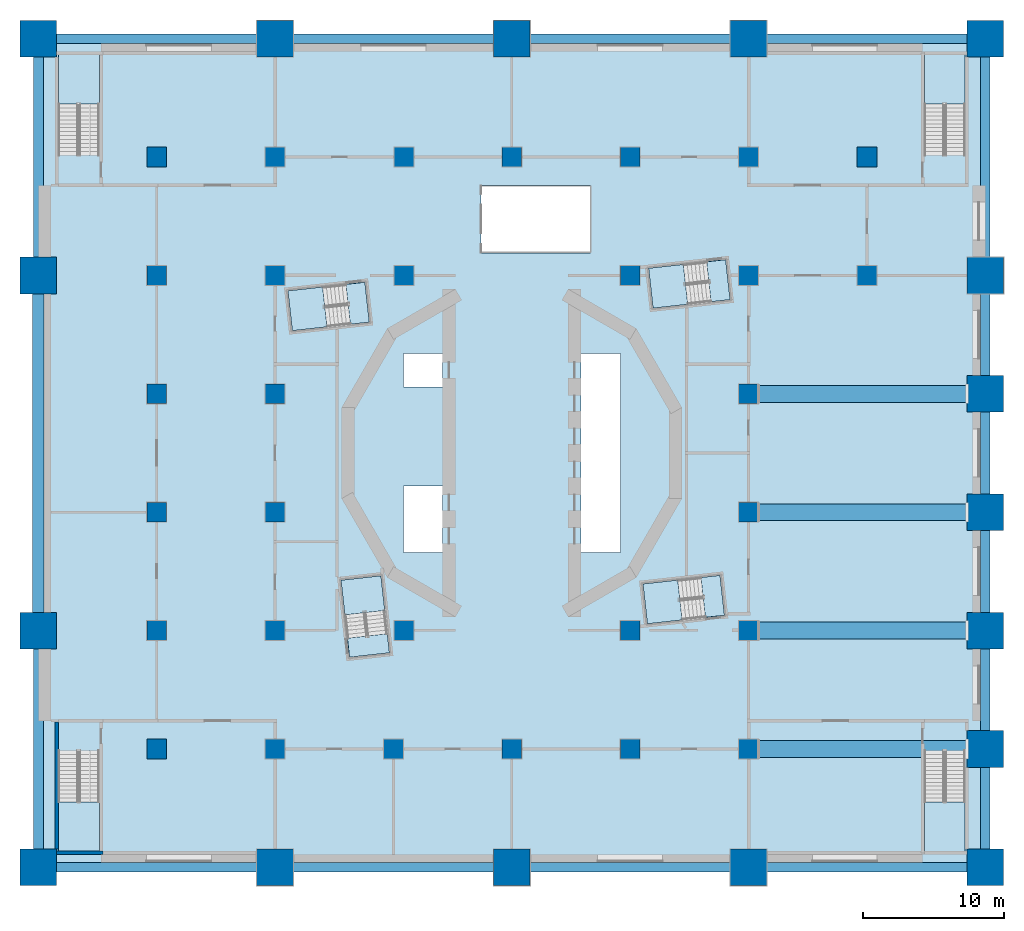
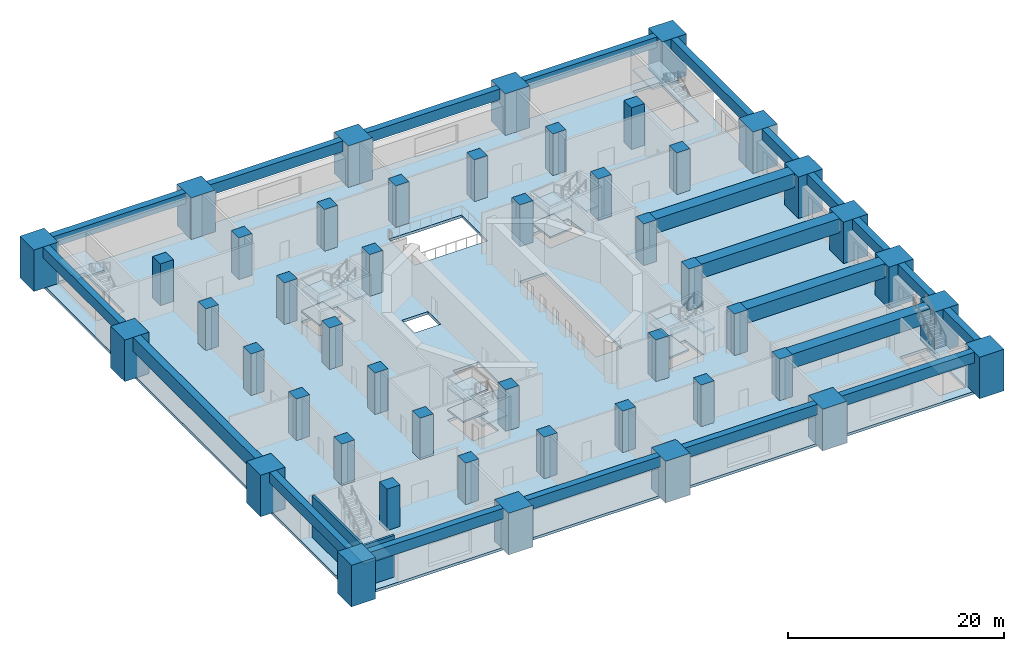
# One storey, part 1 of 17: 47 columns, 21 beams, 17 slabs, 2 walls, 8 elements without a shape of their own.
"""IFC4 building model written with IfcOpenShell, lengths in metres."""

from ifc_helpers import new_model, si_unit, direction, frame, frame_2d, origin, origin_2d, place, context, subcontext, project, spatial, polyline, rectangle, outline, extrude, material, layer, layer_set, material_profile, profile_set, type_object, element, aggregate, save


model = new_model("IFC4")

# Units and contexts
model_context = context("Model", 3, precision=1e-05, world=origin(), true_north=direction((0.0, 1.0)))
body_context = subcontext(model_context, "Body", "Model", "MODEL_VIEW")
ifc_project = project(units=[si_unit("LENGTHUNIT", "METRE"), si_unit("AREAUNIT", "SQUARE_METRE"), si_unit("VOLUMEUNIT", "CUBIC_METRE"), si_unit("PLANEANGLEUNIT", "RADIAN"), si_unit("MASSUNIT", "GRAM", prefix="KILO")], contexts=[model_context])

# Site, building, storey
site_placement = place(None, origin())
site = spatial("IfcSite", under=ifc_project, at=site_placement, CompositionType="ELEMENT")
building_placement = place(site_placement, origin())
building = spatial("IfcBuilding", under=site, at=building_placement, Name="Cantera Rosa Tower", CompositionType="ELEMENT")
storey_placement = place(building_placement, frame((0.0, 0.0, 22.0)))
storey = spatial("IfcBuildingStorey", under=building, at=storey_placement, Name="L03", CompositionType="ELEMENT", Elevation=22.0)

# Columns
ifc_material_1 = material(Name="Concrete C60/75", Category="concrete")
ifc_material_profile_1 = material_profile(ifc_material_1, rectangle(XDim=1.39990234375, YDim=1.39990234375, at=origin_2d()), Name="Column 1400x1400")
ifc_profile_set_1 = profile_set([ifc_material_profile_1], Name="Concrete C60/75")
column_type_1 = type_object("IfcColumnType", Name="Column 1400x1400", PredefinedType="COLUMN", material=ifc_profile_set_1)
for number, where, z_axis, x_axis, name in (
    (1, (-25.199951171875, -21.0, 0.0), (0.0, 0.0, 1.0), (1.0, 0.0, 0.0), "Column C-P-2B"),
    (2, (-25.199951171875, -12.60009765625, 0.0), (0.0, 0.0, 1.0), (1.0, 0.0, 0.0), "Column C-P-2C"),
    (3, (-25.199951171875, -4.199951171875, 0.0), (0.0, 0.0, 1.0), (1.0, 0.0, 0.0), "Column C-P-2D"),
    (4, (-25.199951171875, 4.199951171875, 0.0), (0.0, 0.0, 1.0), (1.0, 0.0, 0.0), "Column C-P-2E"),
    (5, (-25.199951171875, 12.60009765625, 0.0), (0.0, 0.0, 1.0), (1.0, 0.0, 0.0), "Column C-P-2F"),
    (6, (-25.199951171875, 21.0, 0.0), (0.0, 0.0, 1.0), (1.0, 0.0, 0.0), "Column C-P-2G"),
    (7, (-16.800048828125, -21.0, 0.0), (0.0, 0.0, 1.0), (1.0, 0.0, 0.0), "Column C-P-3B"),
    (8, (-16.800048828125, -12.60009765625, 0.0), (0.0, 0.0, 1.0), (1.0, 0.0, 0.0), "Column C-P-3C"),
    (9, (-16.800048828125, -4.199951171875, 0.0), (0.0, 0.0, 1.0), (1.0, 0.0, 0.0), "Column C-P-3D"),
    (10, (-16.800048828125, 4.199951171875, 0.0), (0.0, 0.0, 1.0), (1.0, 0.0, 0.0), "Column C-P-3E"),
    (11, (-16.800048828125, 12.60009765625, 0.0), (0.0, 0.0, 1.0), (1.0, 0.0, 0.0), "Column C-P-3F"),
    (12, (-16.800048828125, 21.0, 0.0), (0.0, 0.0, 1.0), (1.0, 0.0, 0.0), "Column C-P-3G"),
    (13, (-8.39990234375, -21.0, 0.0), (0.0, 0.0, 1.0), (1.0, 0.0, 0.0), "Column C-P-4B"),
    (14, (-7.64990234375, -12.60009765625, 0.0), (0.0, 0.0, 1.0), (1.0, 0.0, 0.0), "Column C-P-4C"),
    (15, (-7.64990234375, 12.60009765625, 0.0), (0.0, 0.0, 1.0), (1.0, 0.0, 0.0), "Column C-B-4N2"),
    (16, (-7.64990234375, 21.0, 0.0), (0.0, 0.0, 1.0), (1.0, 0.0, 0.0), "Column C-B-4N3"),
    (17, (0.0, -21.0, 0.0), (0.0, 0.0, 1.0), (1.0, 0.0, 0.0), "Column C-P-5B"),
    (18, (0.0, 21.0, 0.0), (0.0, 0.0, 1.0), (1.0, 0.0, 0.0), "Column C-P-5G"),
    (19, (8.39990234375, -21.0, 0.0), (0.0, 0.0, 1.0), (1.0, 0.0, 0.0), "Column C-P-6B"),
    (20, (8.39990234375, -12.60009765625, 0.0), (0.0, 0.0, 1.0), (1.0, 0.0, 0.0), "Column C-P-6C"),
    (21, (8.39990234375, 12.60009765625, 0.0), (0.0, 0.0, 1.0), (1.0, 0.0, 0.0), "Column C-P-6F"),
    (22, (8.39990234375, 21.0, 0.0), (0.0, 0.0, 1.0), (1.0, 0.0, 0.0), "Column C-P-6G"),
    (23, (16.800048828125, -21.0, 0.0), (0.0, 0.0, 1.0), (1.0, 0.0, 0.0), "Column C-P-7B"),
    (24, (16.800048828125, -12.60009765625, 0.0), (0.0, 0.0, 1.0), (1.0, 0.0, 0.0), "Column C-P-7C"),
    (25, (16.800048828125, -4.199951171875, 0.0), (0.0, 0.0, 1.0), (1.0, 0.0, 0.0), "Column C-P-7D"),
    (26, (16.800048828125, 4.199951171875, 0.0), (0.0, 0.0, 1.0), (1.0, 0.0, 0.0), "Column C-P-7E"),
    (27, (16.800048828125, 12.60009765625, 0.0), (0.0, 0.0, 1.0), (1.0, 0.0, 0.0), "Column C-P-7F"),
    (28, (16.800048828125, 21.0, 0.0), (0.0, 0.0, 1.0), (1.0, 0.0, 0.0), "Column C-P-7G"),
    (29, (25.199951171875, 12.60009765625, 0.0), (0.0, 0.0, 1.0), (1.0, 0.0, 0.0), "Column C-P-8F"),
    (30, (25.199951171875, 21.0, 0.0), (0.0, 0.0, 1.0), (1.0, 0.0, 0.0), "Column C-P-8G"),
):
    element("IfcColumn", number, at=place(storey_placement, frame(where, z_axis=z_axis, x_axis=x_axis)), inside=storey, type_object=column_type_1, Name=name, PredefinedType="COLUMN", context=body_context, shape_type="SweptSolid", body=[
        extrude(rectangle(XDim=1.39990234375, YDim=1.39990234375, at=origin_2d()), origin(), (0.0, 0.0, 1.0), 4.699951171875),
    ])
ifc_material_2 = material(Name="Concrete C60/75", Category="concrete")
ifc_material_profile_2 = material_profile(ifc_material_2, rectangle(XDim=2.60009765625, YDim=2.60009765625, at=origin_2d()), Name="Stone pier 2600x2600")
ifc_profile_set_2 = profile_set([ifc_material_profile_2], Name="Concrete C60/75")
column_type_2 = type_object("IfcColumnType", Name="Stone pier 2600x2600", PredefinedType="COLUMN", material=ifc_profile_set_2)
for number, where, z_axis, x_axis, name in (
    (31, (-33.60009765625, -29.39990234375, 0.0), (0.0, 0.0, 1.0), (1.0, 0.0, 0.0), "Column C-P-1A"),
    (32, (-33.60009765625, -12.60009765625, 0.0), (0.0, 0.0, 1.0), (1.0, 0.0, 0.0), "Column C-P-1C"),
    (33, (-33.60009765625, 12.60009765625, 0.0), (0.0, 0.0, 1.0), (1.0, 0.0, 0.0), "Column C-P-1F"),
    (34, (-33.60009765625, 29.39990234375, 0.0), (0.0, 0.0, 1.0), (1.0, 0.0, 0.0), "Column C-P-1H"),
    (35, (-16.800048828125, -29.39990234375, 0.0), (0.0, 0.0, 1.0), (1.0, 0.0, 0.0), "Column C-P-3A"),
    (36, (-16.800048828125, 29.39990234375, 0.0), (0.0, 0.0, 1.0), (1.0, 0.0, 0.0), "Column C-P-3H"),
    (37, (0.0, -29.39990234375, 0.0), (0.0, 0.0, 1.0), (1.0, 0.0, 0.0), "Column C-P-5A"),
    (38, (0.0, 29.39990234375, 0.0), (0.0, 0.0, 1.0), (1.0, 0.0, 0.0), "Column C-P-5H"),
    (39, (16.800048828125, -29.39990234375, 0.0), (0.0, 0.0, 1.0), (1.0, 0.0, 0.0), "Column C-P-7A"),
    (40, (16.800048828125, 29.39990234375, 0.0), (0.0, 0.0, 1.0), (1.0, 0.0, 0.0), "Column C-P-7H"),
    (41, (33.60009765625, -29.39990234375, 0.0), (0.0, 0.0, 1.0), (1.0, 0.0, 0.0), "Column C-P-9A"),
    (42, (33.60009765625, -21.0, 0.0), (0.0, 0.0, 1.0), (1.0, 0.0, 0.0), "Column C-P-9B"),
    (43, (33.60009765625, -12.60009765625, 0.0), (0.0, 0.0, 1.0), (1.0, 0.0, 0.0), "Column C-P-9C"),
    (44, (33.60009765625, -4.199951171875, 0.0), (0.0, 0.0, 1.0), (1.0, 0.0, 0.0), "Column C-P-9D"),
    (45, (33.60009765625, 4.199951171875, 0.0), (0.0, 0.0, 1.0), (1.0, 0.0, 0.0), "Column C-P-9E"),
    (46, (33.60009765625, 12.60009765625, 0.0), (0.0, 0.0, 1.0), (1.0, 0.0, 0.0), "Column C-P-9F"),
    (47, (33.60009765625, 29.39990234375, 0.0), (0.0, 0.0, 1.0), (1.0, 0.0, 0.0), "Column C-P-9H"),
):
    element("IfcColumn", number, at=place(storey_placement, frame(where, z_axis=z_axis, x_axis=x_axis)), inside=storey, type_object=column_type_2, Name=name, PredefinedType="COLUMN", context=body_context, shape_type="SweptSolid", body=[
        extrude(rectangle(XDim=2.60009765625, YDim=2.60009765625, at=origin_2d()), origin(), (0.0, 0.0, 1.0), 4.699951171875),
    ])

# Beams
ifc_material_3 = material(Name="Concrete C50/60", Category="concrete")
ifc_material_profile_3 = material_profile(ifc_material_3, rectangle(XDim=0.699951171875, YDim=1.199951171875, at=origin_2d()), Name="Edge girder 700x1200")
ifc_profile_set_3 = profile_set([ifc_material_profile_3], Name="Concrete C50/60")
beam_type_1 = type_object("IfcBeamType", Name="Edge girder 700x1200", PredefinedType="BEAM", material=ifc_profile_set_3)
beam_1_placement = place(storey_placement, frame((-33.60009765625, -28.10009765625, 4.10009765625), z_axis=(0.0, 1.0, 0.0), x_axis=(-1.0, 0.0, 0.0)))
element("IfcBeam", 48, at=beam_1_placement, inside=storey, type_object=beam_type_1, Name="Edge girder L03-01", PredefinedType="BEAM", context=body_context, shape_type="SweptSolid", body=[
    extrude(rectangle(XDim=0.699951171875, YDim=1.199951171875, at=origin_2d()), origin(), (0.0, 0.0, 1.0), 14.2001953125),
])
beam_2_placement = place(storey_placement, frame((-32.300048828125, -29.39990234375, 4.10009765625), z_axis=(1.0, 0.0, 0.0), x_axis=(0.0, 1.0, 0.0)))
element("IfcBeam", 49, at=beam_2_placement, inside=storey, type_object=beam_type_1, Name="Edge girder L03-02", PredefinedType="BEAM", context=body_context, shape_type="SweptSolid", body=[
    extrude(rectangle(XDim=0.699951171875, YDim=1.199951171875, at=origin_2d()), origin(), (0.0, 0.0, 1.0), 14.199951171875),
])
beam_3_placement = place(storey_placement, frame((-33.60009765625, 13.89990234375, 4.10009765625), z_axis=(0.0, 1.0, 0.0), x_axis=(-1.0, 0.0, 0.0)))
element("IfcBeam", 50, at=beam_3_placement, inside=storey, type_object=beam_type_1, Name="Edge girder L03-04", PredefinedType="BEAM", context=body_context, shape_type="SweptSolid", body=[
    extrude(rectangle(XDim=0.699951171875, YDim=1.199951171875, at=origin_2d()), origin(), (0.0, 0.0, 1.0), 14.2001953125),
])
for number, where, z_axis, x_axis, name in (
    (51, (-32.300048828125, 29.39990234375, 4.10009765625), (1.0, 0.0, 0.0), (0.0, 1.0, 0.0), "Edge girder L03-05"),
    (52, (-15.5, -29.39990234375, 4.10009765625), (1.0, 0.0, 0.0), (0.0, 1.0, 0.0), "Edge girder L03-06"),
    (53, (-15.5, 29.39990234375, 4.10009765625), (1.0, 0.0, 0.0), (0.0, 1.0, 0.0), "Edge girder L03-07"),
    (54, (1.300048828125, -29.39990234375, 4.10009765625), (1.0, 0.0, 0.0), (0.0, 1.0, 0.0), "Edge girder L03-08"),
    (55, (1.300048828125, 29.39990234375, 4.10009765625), (1.0, 0.0, 0.0), (0.0, 1.0, 0.0), "Edge girder L03-09"),
    (56, (18.10009765625, -29.39990234375, 4.10009765625), (1.0, 0.0, 0.0), (0.0, 1.0, 0.0), "Edge girder L03-10"),
    (57, (18.10009765625, 29.39990234375, 4.10009765625), (1.0, 0.0, 0.0), (0.0, 1.0, 0.0), "Edge girder L03-11"),
):
    element("IfcBeam", number, at=place(storey_placement, frame(where, z_axis=z_axis, x_axis=x_axis)), inside=storey, type_object=beam_type_1, Name=name, PredefinedType="BEAM", context=body_context, shape_type="SweptSolid", body=[
        extrude(rectangle(XDim=0.699951171875, YDim=1.199951171875, at=origin_2d()), origin(), (0.0, 0.0, 1.0), 14.199951171875),
    ])
for number, where, z_axis, x_axis, name in (
    (58, (33.60009765625, -28.10009765625, 4.10009765625), (0.0, 1.0, 0.0), (-1.0, 0.0, 0.0), "Edge girder L03-12"),
    (59, (33.60009765625, -19.699951171875, 4.10009765625), (0.0, 1.0, 0.0), (-1.0, 0.0, 0.0), "Edge girder L03-13"),
    (60, (33.60009765625, -11.300048828125, 4.10009765625), (0.0, 1.0, 0.0), (-1.0, 0.0, 0.0), "Edge girder L03-14"),
):
    element("IfcBeam", number, at=place(storey_placement, frame(where, z_axis=z_axis, x_axis=x_axis)), inside=storey, type_object=beam_type_1, Name=name, PredefinedType="BEAM", context=body_context, shape_type="SweptSolid", body=[
        extrude(rectangle(XDim=0.699951171875, YDim=1.199951171875, at=origin_2d()), origin(), (0.0, 0.0, 1.0), 5.800048828125),
    ])
beam_4_placement = place(storey_placement, frame((33.60009765625, -2.89990234375, 4.10009765625), z_axis=(0.0, 1.0, 0.0), x_axis=(-1.0, 0.0, 0.0)))
element("IfcBeam", 61, at=beam_4_placement, inside=storey, type_object=beam_type_1, Name="Edge girder L03-15", PredefinedType="BEAM", context=body_context, shape_type="SweptSolid", body=[
    extrude(rectangle(XDim=0.699951171875, YDim=1.199951171875, at=origin_2d()), origin(), (0.0, 0.0, 1.0), 5.7998046875),
])
beam_5_placement = place(storey_placement, frame((33.60009765625, 5.5, 4.10009765625), z_axis=(0.0, 1.0, 0.0), x_axis=(-1.0, 0.0, 0.0)))
element("IfcBeam", 62, at=beam_5_placement, inside=storey, type_object=beam_type_1, Name="Edge girder L03-16", PredefinedType="BEAM", context=body_context, shape_type="SweptSolid", body=[
    extrude(rectangle(XDim=0.699951171875, YDim=1.199951171875, at=origin_2d()), origin(), (0.0, 0.0, 1.0), 5.800048828125),
])
beam_6_placement = place(storey_placement, frame((33.60009765625, 13.89990234375, 4.10009765625), z_axis=(0.0, 1.0, 0.0), x_axis=(-1.0, 0.0, 0.0)))
element("IfcBeam", 63, at=beam_6_placement, inside=storey, type_object=beam_type_1, Name="Edge girder L03-17", PredefinedType="BEAM", context=body_context, shape_type="SweptSolid", body=[
    extrude(rectangle(XDim=0.699951171875, YDim=1.199951171875, at=origin_2d()), origin(), (0.0, 0.0, 1.0), 14.2001953125),
])
ifc_material_4 = material(Name="Concrete C50/60", Category="concrete")
ifc_material_profile_4 = material_profile(ifc_material_4, rectangle(XDim=0.800048828125, YDim=1.60009765625, at=origin_2d()), Name="Edge girder 800x1600")
ifc_profile_set_4 = profile_set([ifc_material_profile_4], Name="Concrete C50/60")
beam_type_2 = type_object("IfcBeamType", Name="Edge girder 800x1600", PredefinedType="BEAM", material=ifc_profile_set_4)
beam_7_placement = place(storey_placement, frame((-33.60009765625, -11.300048828125, 3.89990234375), z_axis=(0.0, 1.0, 0.0), x_axis=(-1.0, 0.0, 0.0)))
element("IfcBeam", 64, at=beam_7_placement, inside=storey, type_object=beam_type_2, Name="Edge girder L03-03", PredefinedType="BEAM", context=body_context, shape_type="SweptSolid", body=[
    extrude(rectangle(XDim=0.800048828125, YDim=1.60009765625, at=origin_2d()), origin(), (0.0, 0.0, 1.0), 22.60009765625),
])
ifc_material_5 = material(Name="Concrete C50/60", Category="concrete")
ifc_material_profile_5 = material_profile(ifc_material_5, rectangle(XDim=1.199951171875, YDim=1.60009765625, at=origin_2d()), Name="Transfer girder 1200x1600")
ifc_profile_set_5 = profile_set([ifc_material_profile_5], Name="Concrete C50/60")
beam_type_3 = type_object("IfcBeamType", Name="Transfer girder 1200x1600", PredefinedType="BEAM", material=ifc_profile_set_5)
for number, where, z_axis, x_axis, name in (
    (65, (17.5, -21.0, 3.89990234375), (1.0, 0.0, 0.0), (0.0, 1.0, 0.0), "Transfer girder TG-1"),
    (66, (17.5, -12.60009765625, 3.89990234375), (1.0, 0.0, 0.0), (0.0, 1.0, 0.0), "Transfer girder TG-2"),
    (67, (17.5, -4.199951171875, 3.89990234375), (1.0, 0.0, 0.0), (0.0, 1.0, 0.0), "Transfer girder TG-3"),
    (68, (17.5, 4.199951171875, 3.89990234375), (1.0, 0.0, 0.0), (0.0, 1.0, 0.0), "Transfer girder TG-4"),
):
    element("IfcBeam", number, at=place(storey_placement, frame(where, z_axis=z_axis, x_axis=x_axis)), inside=storey, type_object=beam_type_3, Name=name, PredefinedType="BEAM", context=body_context, shape_type="SweptSolid", body=[
        extrude(rectangle(XDim=1.199951171875, YDim=1.60009765625, at=origin_2d()), origin(), (0.0, 0.0, 1.0), 14.800048828125),
    ])

# Slab
ifc_material_6 = material(Name="Concrete C35/45", Category="concrete")
ifc_layer_1 = layer(ifc_material_6, 0.300048828125)
ifc_layer_set_1 = layer_set([ifc_layer_1], Name="Flat slab 300")
slab_type_1 = type_object("IfcSlabType", Name="Flat slab 300", PredefinedType="FLOOR", material=ifc_layer_set_1)
slab_1_placement = place(storey_placement, frame((0.0, 0.0, -0.300048828125)))
element("IfcSlab", 69, at=slab_1_placement, inside=storey, type_object=slab_type_1, Name="Floor slab L03", PredefinedType="FLOOR", context=body_context, shape_type="SweptSolid", body=[
    extrude(outline(polyline([(-33.60009765625, -29.39990234375), (33.60009765625, -29.39990234375), (33.60009765625, 29.39990234375), (-33.60009765625, 29.39990234375), (-33.60009765625, -29.39990234375)]), holes=[polyline([(29.27490234375, -28.375), (32.175048828125, -28.375), (32.175048828125, -21.136962890625), (29.27490234375, -21.136962890625), (29.27490234375, -28.375)]), polyline([(32.175048828125, 21.136962890625), (32.175048828125, 28.375), (29.27490234375, 28.375), (29.27490234375, 21.136962890625), (32.175048828125, 21.136962890625)]), polyline([(13.822265625, 13.5693359375), (9.709716796875, 13.11279296875), (10.02392578125, 10.2802734375), (14.13671875, 10.73681640625), (13.822265625, 13.5693359375)]), polyline([(9.3095703125, -9.287109375), (9.6240234375, -12.11962890625), (13.73681640625, -11.6630859375), (13.42236328125, -8.83056640625), (9.3095703125, -9.287109375)]), polyline([(4.89990234375, -7.050048828125), (7.699951171875, -7.050048828125), (7.699951171875, 7.050048828125), (4.89990234375, 7.050048828125), (4.89990234375, -7.050048828125)]), polyline([(5.60009765625, 14.199951171875), (5.60009765625, 19.0), (-2.194091796875, 19.0), (-2.194091796875, 14.199951171875), (5.60009765625, 14.199951171875)]), polyline([(-7.699951171875, -7.050048828125), (-4.89990234375, -7.050048828125), (-4.89990234375, -2.35009765625), (-7.699951171875, -2.35009765625), (-7.699951171875, -7.050048828125)]), polyline([(-4.89990234375, 7.050048828125), (-7.699951171875, 7.050048828125), (-7.699951171875, 4.699951171875), (-4.89990234375, 4.699951171875), (-4.89990234375, 7.050048828125)]), polyline([(-9.287109375, -8.709716796875), (-12.11962890625, -9.02392578125), (-11.6630859375, -13.13671875), (-8.83056640625, -12.822265625), (-9.287109375, -8.709716796875)]), polyline([(-15.890380859375, 11.512939453125), (-15.575927734375, 8.680419921875), (-11.46337890625, 9.13671875), (-11.777587890625, 11.969482421875), (-15.890380859375, 11.512939453125)]), polyline([(-32.175048828125, -28.375), (-29.27490234375, -28.375), (-29.27490234375, -21.136962890625), (-32.175048828125, -21.136962890625), (-32.175048828125, -28.375)]), polyline([(-29.27490234375, 21.136962890625), (-29.27490234375, 28.375), (-32.175048828125, 28.375), (-32.175048828125, 21.136962890625), (-29.27490234375, 21.136962890625)])]), origin(), (0.0, 0.0, 1.0), 0.300048828125),
])

# Stair, slabs
ifc_material_7 = material(Name="Concrete C35/45", Category="concrete")
stair_type_1 = type_object("IfcStairType", Name="EXIT STAIR 1350 DOGLEG", PredefinedType="HALF_TURN_STAIR", material=ifc_material_7)
stair_1_placement = place(storey_placement, origin())
stair_1 = element("IfcStair", 70, at=stair_1_placement, inside=storey, type_object=stair_type_1, Name="L03 ST-11", PredefinedType="HALF_TURN_STAIR")
ifc_material_8 = material(Name="Concrete C35/45", Category="concrete")
ifc_layer_2 = layer(ifc_material_8, 0.199951171875)
ifc_layer_set_2 = layer_set([ifc_layer_2], Name="STAIR LANDING 200")
slab_type_2 = type_object("IfcSlabType", Name="STAIR LANDING 200", PredefinedType="LANDING", material=ifc_layer_set_2)
slab_2_placement = place(storey_placement, frame((0.0, 0.0, 1.050048828125)))
slab_2 = element("IfcSlab", 71, at=slab_2_placement, type_object=slab_type_2, Name="ST-11 landing 1", PredefinedType="LANDING", context=body_context, shape_type="SweptSolid", body=[
    extrude(outline(polyline([(12.176513671875, 13.38671875), (9.70947265625, 13.113037109375), (10.02392578125, 10.2802734375), (12.49072265625, 10.55419921875), (12.176513671875, 13.38671875)])), origin(), (0.0, 0.0, 1.0), 0.199951171875),
])
slab_3_placement = place(storey_placement, frame((0.0, 0.0, 2.300048828125)))
slab_3 = element("IfcSlab", 72, at=slab_3_placement, type_object=slab_type_2, Name="ST-11 landing 2", PredefinedType="LANDING", context=body_context, shape_type="SweptSolid", body=[
    extrude(outline(polyline([(15.176025390625, 13.7197265625), (13.822265625, 13.5693359375), (14.13671875, 10.73681640625), (15.490478515625, 10.886962890625), (15.176025390625, 13.7197265625)])), origin(), (0.0, 0.0, 1.0), 0.199951171875),
])
slab_4_placement = place(storey_placement, frame((0.0, 0.0, 3.550048828125)))
slab_4 = element("IfcSlab", 73, at=slab_4_placement, type_object=slab_type_2, Name="ST-11 landing 3", PredefinedType="LANDING", context=body_context, shape_type="SweptSolid", body=[
    extrude(outline(polyline([(12.176513671875, 13.38671875), (9.70947265625, 13.113037109375), (10.02392578125, 10.2802734375), (12.49072265625, 10.55419921875), (12.176513671875, 13.38671875)])), origin(), (0.0, 0.0, 1.0), 0.199951171875),
])
aggregate(stair_1, [slab_2, slab_3, slab_4])

stair_2_placement = place(storey_placement, origin())
stair_2 = element("IfcStair", 74, at=stair_2_placement, inside=storey, type_object=stair_type_1, Name="L03 ST-12", PredefinedType="HALF_TURN_STAIR")
slab_5_placement = place(storey_placement, frame((0.0, 0.0, 1.050048828125)))
slab_5 = element("IfcSlab", 75, at=slab_5_placement, type_object=slab_type_2, Name="ST-12 landing 1", PredefinedType="LANDING", context=body_context, shape_type="SweptSolid", body=[
    extrude(outline(polyline([(-13.423583984375, 11.78662109375), (-15.890380859375, 11.512939453125), (-15.575927734375, 8.680419921875), (-13.109130859375, 8.9541015625), (-13.423583984375, 11.78662109375)])), origin(), (0.0, 0.0, 1.0), 0.199951171875),
])
slab_6_placement = place(storey_placement, frame((0.0, 0.0, 2.300048828125)))
slab_6 = element("IfcSlab", 76, at=slab_6_placement, type_object=slab_type_2, Name="ST-12 landing 2", PredefinedType="LANDING", context=body_context, shape_type="SweptSolid", body=[
    extrude(outline(polyline([(-10.424072265625, 12.11962890625), (-11.777587890625, 11.969482421875), (-11.46337890625, 9.13671875), (-10.109619140625, 9.287109375), (-10.424072265625, 12.11962890625)])), origin(), (0.0, 0.0, 1.0), 0.199951171875),
])
slab_7_placement = place(storey_placement, frame((0.0, 0.0, 3.550048828125)))
slab_7 = element("IfcSlab", 77, at=slab_7_placement, type_object=slab_type_2, Name="ST-12 landing 3", PredefinedType="LANDING", context=body_context, shape_type="SweptSolid", body=[
    extrude(outline(polyline([(-13.423583984375, 11.78662109375), (-15.890380859375, 11.512939453125), (-15.575927734375, 8.680419921875), (-13.109130859375, 8.9541015625), (-13.423583984375, 11.78662109375)])), origin(), (0.0, 0.0, 1.0), 0.199951171875),
])
aggregate(stair_2, [slab_5, slab_6, slab_7])

stair_3_placement = place(storey_placement, origin())
stair_3 = element("IfcStair", 78, at=stair_3_placement, inside=storey, type_object=stair_type_1, Name="L03 ST-13", PredefinedType="HALF_TURN_STAIR")
slab_8_placement = place(storey_placement, frame((0.0, 0.0, 1.050048828125)))
slab_8 = element("IfcSlab", 79, at=slab_8_placement, type_object=slab_type_2, Name="ST-13 landing 1", PredefinedType="LANDING", context=body_context, shape_type="SweptSolid", body=[
    extrude(outline(polyline([(-9.01318359375, -11.176513671875), (-9.287109375, -8.70947265625), (-12.11962890625, -9.02392578125), (-11.845947265625, -11.49072265625), (-9.01318359375, -11.176513671875)])), origin(), (0.0, 0.0, 1.0), 0.199951171875),
])
slab_9_placement = place(storey_placement, frame((0.0, 0.0, 2.300048828125)))
slab_9 = element("IfcSlab", 80, at=slab_9_placement, type_object=slab_type_2, Name="ST-13 landing 2", PredefinedType="LANDING", context=body_context, shape_type="SweptSolid", body=[
    extrude(outline(polyline([(-8.680419921875, -14.176025390625), (-8.83056640625, -12.822265625), (-11.6630859375, -13.13671875), (-11.512939453125, -14.490478515625), (-8.680419921875, -14.176025390625)])), origin(), (0.0, 0.0, 1.0), 0.199951171875),
])
slab_10_placement = place(storey_placement, frame((0.0, 0.0, 3.550048828125)))
slab_10 = element("IfcSlab", 81, at=slab_10_placement, type_object=slab_type_2, Name="ST-13 landing 3", PredefinedType="LANDING", context=body_context, shape_type="SweptSolid", body=[
    extrude(outline(polyline([(-9.01318359375, -11.176513671875), (-9.287109375, -8.70947265625), (-12.11962890625, -9.02392578125), (-11.845947265625, -11.49072265625), (-9.01318359375, -11.176513671875)])), origin(), (0.0, 0.0, 1.0), 0.199951171875),
])
aggregate(stair_3, [slab_8, slab_9, slab_10])

stair_4_placement = place(storey_placement, origin())
stair_4 = element("IfcStair", 82, at=stair_4_placement, inside=storey, type_object=stair_type_1, Name="L03 ST-14", PredefinedType="HALF_TURN_STAIR")
slab_11_placement = place(storey_placement, frame((0.0, 0.0, 1.050048828125)))
slab_11 = element("IfcSlab", 83, at=slab_11_placement, type_object=slab_type_2, Name="ST-14 landing 1", PredefinedType="LANDING", context=body_context, shape_type="SweptSolid", body=[
    extrude(outline(polyline([(11.7763671875, -9.01318359375), (9.3095703125, -9.287109375), (9.6240234375, -12.11962890625), (12.0908203125, -11.845947265625), (11.7763671875, -9.01318359375)])), origin(), (0.0, 0.0, 1.0), 0.199951171875),
])
slab_12_placement = place(storey_placement, frame((0.0, 0.0, 2.300048828125)))
slab_12 = element("IfcSlab", 84, at=slab_12_placement, type_object=slab_type_2, Name="ST-14 landing 2", PredefinedType="LANDING", context=body_context, shape_type="SweptSolid", body=[
    extrude(outline(polyline([(14.776123046875, -8.680419921875), (13.42236328125, -8.83056640625), (13.73681640625, -11.6630859375), (15.09033203125, -11.512939453125), (14.776123046875, -8.680419921875)])), origin(), (0.0, 0.0, 1.0), 0.199951171875),
])
slab_13_placement = place(storey_placement, frame((0.0, 0.0, 3.550048828125)))
slab_13 = element("IfcSlab", 85, at=slab_13_placement, type_object=slab_type_2, Name="ST-14 landing 3", PredefinedType="LANDING", context=body_context, shape_type="SweptSolid", body=[
    extrude(outline(polyline([(11.7763671875, -9.01318359375), (9.3095703125, -9.287109375), (9.6240234375, -12.11962890625), (12.0908203125, -11.845947265625), (11.7763671875, -9.01318359375)])), origin(), (0.0, 0.0, 1.0), 0.199951171875),
])
aggregate(stair_4, [slab_11, slab_12, slab_13])

# Stair, slab
ifc_material_9 = material(Name="Concrete C35/45", Category="concrete")
stair_type_2 = type_object("IfcStairType", Name="Stair half-turn 1350", PredefinedType="HALF_TURN_STAIR", material=ifc_material_9)
stair_5_placement = place(storey_placement, origin())
stair_5 = element("IfcStair", 86, at=stair_5_placement, inside=storey, type_object=stair_type_2, Name="L03 ST-NE", PredefinedType="HALF_TURN_STAIR")
ifc_material_10 = material(Name="Concrete C35/45", Category="concrete")
ifc_layer_3 = layer(ifc_material_10, 0.199951171875)
ifc_layer_set_3 = layer_set([ifc_layer_3], Name="Stair landing 200")
slab_type_3 = type_object("IfcSlabType", Name="Stair landing 200", PredefinedType="LANDING", material=ifc_layer_set_3)
slab_14_placement = place(storey_placement, frame((0.0, 0.0, 2.300048828125)))
slab_14 = element("IfcSlab", 87, at=slab_14_placement, type_object=slab_type_3, Name="ST-NE landing 1", PredefinedType="LANDING", context=body_context, shape_type="SweptSolid", body=[
    extrude(outline(polyline([(32.175048828125, 24.7529296875), (32.175048828125, 28.375), (29.27490234375, 28.375), (29.27490234375, 24.7529296875), (32.175048828125, 24.7529296875)])), origin(), (0.0, 0.0, 1.0), 0.199951171875),
])
aggregate(stair_5, [slab_14])

stair_6_placement = place(storey_placement, origin())
stair_6 = element("IfcStair", 88, at=stair_6_placement, inside=storey, type_object=stair_type_2, Name="L03 ST-NW", PredefinedType="HALF_TURN_STAIR")
slab_15_placement = place(storey_placement, frame((0.0, 0.0, 2.300048828125)))
slab_15 = element("IfcSlab", 89, at=slab_15_placement, type_object=slab_type_3, Name="ST-NW landing 1", PredefinedType="LANDING", context=body_context, shape_type="SweptSolid", body=[
    extrude(outline(polyline([(-29.27490234375, 24.7529296875), (-29.27490234375, 28.375), (-32.175048828125, 28.375), (-32.175048828125, 24.7529296875), (-29.27490234375, 24.7529296875)])), origin(), (0.0, 0.0, 1.0), 0.199951171875),
])
aggregate(stair_6, [slab_15])

stair_7_placement = place(storey_placement, origin())
stair_7 = element("IfcStair", 90, at=stair_7_placement, inside=storey, type_object=stair_type_2, Name="L03 ST-SE", PredefinedType="HALF_TURN_STAIR")
slab_16_placement = place(storey_placement, frame((0.0, 0.0, 2.300048828125)))
slab_16 = element("IfcSlab", 91, at=slab_16_placement, type_object=slab_type_3, Name="ST-SE landing 1", PredefinedType="LANDING", context=body_context, shape_type="SweptSolid", body=[
    extrude(outline(polyline([(29.27490234375, -24.7529296875), (29.27490234375, -28.375), (32.175048828125, -28.375), (32.175048828125, -24.7529296875), (29.27490234375, -24.7529296875)])), origin(), (0.0, 0.0, 1.0), 0.199951171875),
])
aggregate(stair_7, [slab_16])

stair_8_placement = place(storey_placement, origin())
stair_8 = element("IfcStair", 92, at=stair_8_placement, inside=storey, type_object=stair_type_2, Name="L03 ST-SW", PredefinedType="HALF_TURN_STAIR")
slab_17_placement = place(storey_placement, frame((0.0, 0.0, 2.300048828125)))
slab_17 = element("IfcSlab", 93, at=slab_17_placement, type_object=slab_type_3, Name="ST-SW landing 1", PredefinedType="LANDING", context=body_context, shape_type="SweptSolid", body=[
    extrude(outline(polyline([(-32.175048828125, -24.7529296875), (-32.175048828125, -28.375), (-29.27490234375, -28.375), (-29.27490234375, -24.7529296875), (-32.175048828125, -24.7529296875)])), origin(), (0.0, 0.0, 1.0), 0.199951171875),
])
aggregate(stair_8, [slab_17])

# Walls
ifc_material_11 = material(Name="Concrete C50/60", Category="concrete")
ifc_layer_4 = layer(ifc_material_11, 0.25)
ifc_layer_set_4 = layer_set([ifc_layer_4], Name="External stair wall 250")
wall_type_1 = type_object("IfcWallType", Name="External stair wall 250", PredefinedType="SOLIDWALL", material=ifc_layer_set_4)
wall_1_placement = place(storey_placement, frame((-29.02490234375, -28.375, 0.0), z_axis=(0.0, 0.0, 1.0), x_axis=(-1.0, 0.0, 0.0)))
element("IfcWall", 94, at=wall_1_placement, inside=storey, type_object=wall_type_1, Name="Stair wall L03-73", PredefinedType="SOLIDWALL", context=body_context, shape_type="SweptSolid", body=[
    extrude(rectangle(XDim=3.275146484375, YDim=0.25, at=frame_2d((1.6376953125, 0.0))), origin(), (0.0, 0.0, 1.0), 4.699951171875),
])
ifc_material_12 = material(Name="Concrete C50/60", Category="concrete")
ifc_layer_5 = layer(ifc_material_12, 0.25)
ifc_layer_set_5 = layer_set([ifc_layer_5], Name="RC stair wall 250 C50/60")
wall_type_2 = type_object("IfcWallType", Name="RC stair wall 250", PredefinedType="SOLIDWALL", material=ifc_layer_set_5)
wall_2_placement = place(storey_placement, frame((-32.300048828125, -28.10009765625, 0.0), z_axis=(0.0, 0.0, 1.0), x_axis=(0.0, 1.0, 0.0)))
element("IfcWall", 95, at=wall_2_placement, inside=storey, type_object=wall_type_2, Name="Stair wall L03-65", PredefinedType="SOLIDWALL", context=body_context, shape_type="SweptSolid", body=[
    extrude(rectangle(XDim=9.0, YDim=0.25, at=frame_2d((4.5, 0.0))), origin(), (0.0, 0.0, 1.0), 4.699951171875),
])

save(model, "model.ifc")
